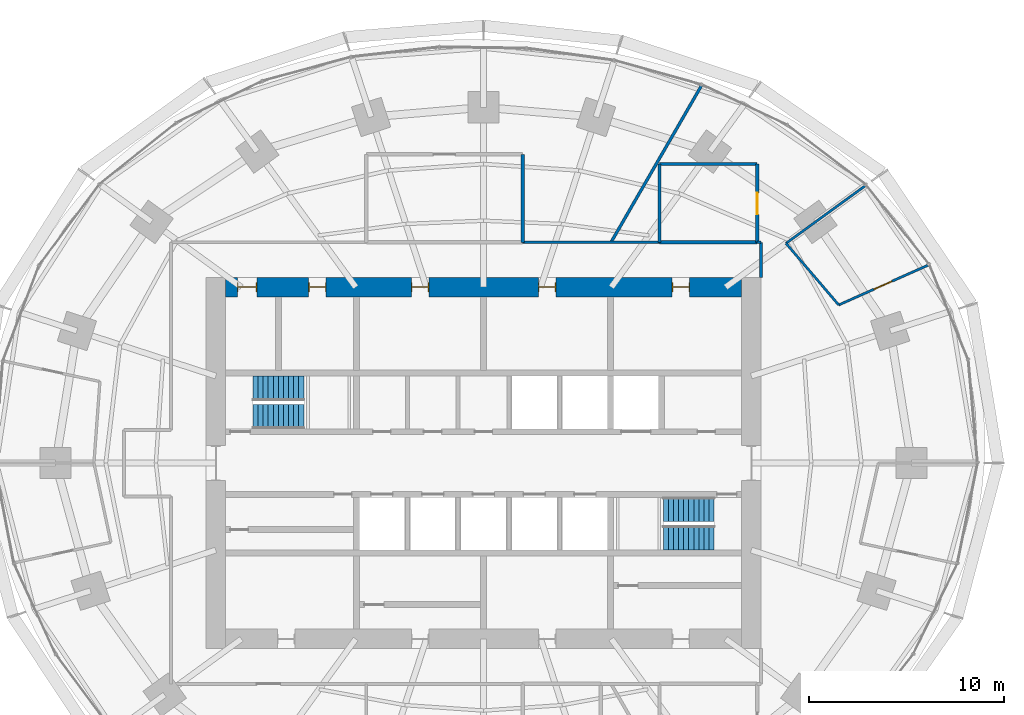
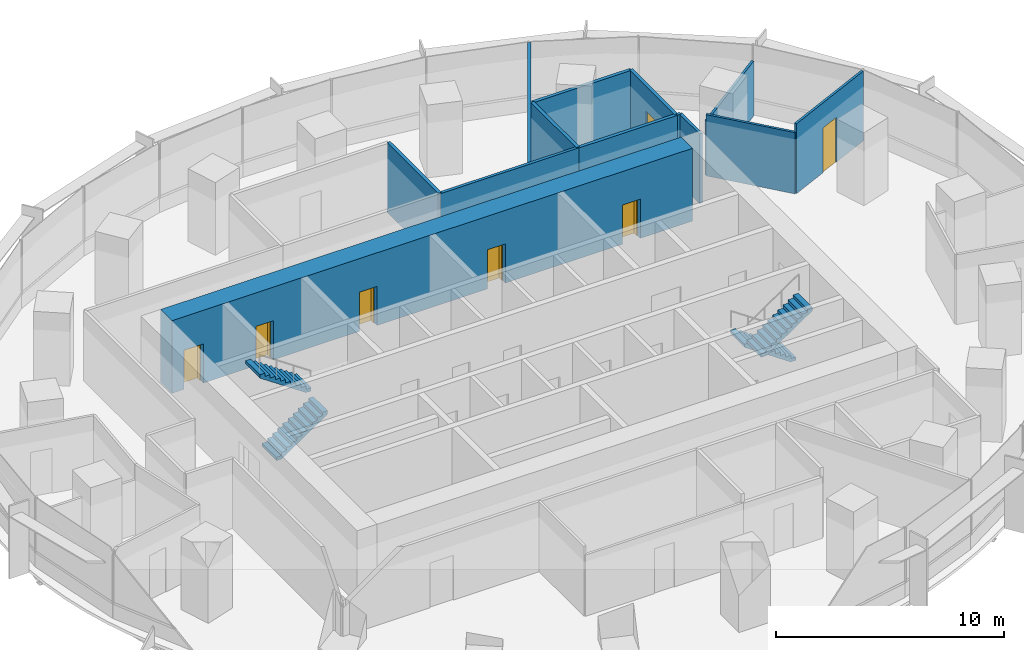
# One storey, part 12 of 14: 13 walls, 7 doors, 4 stair flights, 7 openings, 2 elements without a shape of their own.
"""IFC4 building model written with IfcOpenShell, lengths in metres."""

from ifc_helpers import new_model, si_unit, direction, frame, frame_2d, origin, place, context, subcontext, project, spatial, polyline, rectangle, outline, extrude, material, layer, layer_set, type_object, element, fill, aggregate, save


model = new_model("IFC4")

# Units and contexts
model_context = context("Model", 3, precision=1e-05, world=origin(), true_north=direction((0.0, 1.0)))
body_context = subcontext(model_context, "Body", "Model", "MODEL_VIEW")
ifc_project = project(units=[si_unit("LENGTHUNIT", "METRE"), si_unit("AREAUNIT", "SQUARE_METRE"), si_unit("VOLUMEUNIT", "CUBIC_METRE"), si_unit("PLANEANGLEUNIT", "RADIAN"), si_unit("MASSUNIT", "GRAM", prefix="KILO")], contexts=[model_context])

# Site, building, storey
site_placement = place(None, origin())
site = spatial("IfcSite", under=ifc_project, at=site_placement, CompositionType="ELEMENT")
building_placement = place(site_placement, origin())
building = spatial("IfcBuilding", under=site, at=building_placement, Name="Marramba Exchange Tower", CompositionType="ELEMENT")
storey_placement = place(building_placement, frame((0.0, 0.0, 147.0)))
storey = spatial("IfcBuildingStorey", under=building, at=storey_placement, Name="L35", CompositionType="ELEMENT", Elevation=147.0)

# Wall, opening, door
ifc_material_1 = material(Name="Plasterboard on staggered double steel studs, acoustic insulation", Category="steel")
ifc_layer_1 = layer(ifc_material_1, 0.169921875)
ifc_layer_set_1 = layer_set([ifc_layer_1], Name="Acoustic partition 170")
wall_type_1 = type_object("IfcWallType", Name="Acoustic partition 170", PredefinedType="PARTITIONING", material=ifc_layer_set_1)
wall_1_placement = place(storey_placement, frame((14.0, 11.300048828125, 0.0), z_axis=(0.0, 0.0, 1.0), x_axis=(0.0, 1.0, 0.0)))
wall_1 = element("IfcWall", 1, at=wall_1_placement, inside=storey, type_object=wall_type_1, Name="Acoustic partition L35 28", PredefinedType="PARTITIONING", context=body_context, shape_type="SweptSolid", body=[
    extrude(rectangle(XDim=4.0, YDim=0.169921875, at=frame_2d((2.0, 0.0))), origin(), (0.0, 0.0, 1.0), 3.739990234375),
])
opening_1_placement = place(wall_1_placement, frame((1.424072265625, 0.0, 0.0)))
opening_1 = element("IfcOpeningElement", 2, at=opening_1_placement, cuts=wall_1, Name="Opening D15", PredefinedType="OPENING", context=body_context, shape_type="SweptSolid", body=[
    extrude(rectangle(XDim=1.10009765625, YDim=2.39990234375, at=frame_2d((0.550048828125, 1.199951171875))), frame((0.0, 0.094970703125, 0.0), z_axis=(0.0, -1.0, 0.0), x_axis=(1.0, 0.0, 0.0)), (0.0, 0.0, 1.0), 0.18994140625),
])
ifc_material_2 = material(Name="Timber door", Category="wood")
door_type_1 = type_object("IfcDoorType", Name="Glazed meeting room door 1100x2400", OperationType="SINGLE_SWING_LEFT", PredefinedType="DOOR", material=ifc_material_2)
door_1_placement = place(opening_1_placement, origin())
door_1 = element("IfcDoor", 3, at=door_1_placement, inside=storey, type_object=door_type_1, Name="D15 Meeting Room 1 L35", OperationType="SINGLE_SWING_LEFT", OverallHeight=2.39990234375, OverallWidth=1.10009765625, PredefinedType="DOOR", context=body_context, shape_type="SweptSolid", body=[
    extrude(rectangle(XDim=1.10009765625, YDim=2.39990234375, at=frame_2d((0.550048828125, 1.199951171875))), frame((0.0, 0.02490234375, 0.0), z_axis=(0.0, -1.0, 0.0), x_axis=(1.0, 0.0, 0.0)), (0.0, 0.0, 1.0), 0.050048828125),
])
fill(opening_1, door_1)

# Walls
for number, where, z_axis, x_axis, name in (
    (4, (9.0, 11.300048828125, 0.0), (0.0, 0.0, 1.0), (1.0, 0.0, 0.0), "Acoustic partition L35 29"),
    (5, (14.0, 15.300048828125, 0.0), (0.0, 0.0, 1.0), (-1.0, 0.0, 0.0), "Acoustic partition L35 30"),
):
    element("IfcWall", number, at=place(storey_placement, frame(where, z_axis=z_axis, x_axis=x_axis)), inside=storey, type_object=wall_type_1, Name=name, PredefinedType="PARTITIONING", context=body_context, shape_type="SweptSolid", body=[
        extrude(rectangle(XDim=5.0, YDim=0.169921875, at=frame_2d((2.5, 0.0))), origin(), (0.0, 0.0, 1.0), 3.739990234375),
    ])
wall_2_placement = place(storey_placement, frame((9.0, 15.300048828125, 0.0), z_axis=(0.0, 0.0, 1.0), x_axis=(0.0, -1.0, 0.0)))
element("IfcWall", 6, at=wall_2_placement, inside=storey, type_object=wall_type_1, Name="Acoustic partition L35 31", PredefinedType="PARTITIONING", context=body_context, shape_type="SweptSolid", body=[
    extrude(rectangle(XDim=4.0, YDim=0.169921875, at=frame_2d((2.0, 0.0))), origin(), (0.0, 0.0, 1.0), 3.739990234375),
])
wall_3_placement = place(storey_placement, frame((2.0, 11.300048828125, 0.0), z_axis=(0.0, 0.0, 1.0), x_axis=(0.0, 1.0, 0.0)))
element("IfcWall", 7, at=wall_3_placement, inside=storey, type_object=wall_type_1, Name="Acoustic partition L35 34", PredefinedType="PARTITIONING", context=body_context, shape_type="SweptSolid", body=[
    extrude(rectangle(XDim=4.5, YDim=0.169921875, at=frame_2d((2.25, 0.0))), origin(), (0.0, 0.0, 1.0), 3.739990234375),
])

# Wall, openings, doors
ifc_material_3 = material(Name="Concrete N50", Category="concrete")
ifc_layer_2 = layer(ifc_material_3, 1.0)
ifc_layer_set_2 = layer_set([ifc_layer_2], Name="Core wall 1000")
wall_type_2 = type_object("IfcWallType", Name="Core wall 1000", PredefinedType="SHEAR", material=ifc_layer_set_2)
wall_4_placement = place(storey_placement, frame((13.199951171875, 9.0, 0.0), z_axis=(0.0, 0.0, 1.0), x_axis=(-1.0, 0.0, 0.0)))
wall_4 = element("IfcWall", 8, at=wall_4_placement, inside=storey, type_object=wall_type_2, Name="Core wall N L35", PredefinedType="SHEAR", context=body_context, shape_type="SweptSolid", body=[
    extrude(rectangle(XDim=26.39990234375, YDim=1.0, at=frame_2d((13.199951171875, 0.0))), origin(), (0.0, 0.0, 1.0), 3.89990234375),
])
opening_2_placement = place(wall_4_placement, frame((2.64990234375, 0.0, 0.0)))
opening_2 = element("IfcOpeningElement", 9, at=opening_2_placement, cuts=wall_4, Name="Opening D5", PredefinedType="OPENING", context=body_context, shape_type="SweptSolid", body=[
    extrude(rectangle(XDim=0.89990234375, YDim=2.10009765625, at=frame_2d((0.449951171875, 1.050048828125))), frame((0.0, 0.510009765625, 0.0), z_axis=(0.0, -1.0, 0.0), x_axis=(1.0, 0.0, 0.0)), (0.0, 0.0, 1.0), 1.02001953125),
])
opening_3_placement = place(wall_4_placement, frame((9.5, 0.0, 0.0)))
opening_3 = element("IfcOpeningElement", 10, at=opening_3_placement, cuts=wall_4, Name="Opening D3", PredefinedType="OPENING", context=body_context, shape_type="SweptSolid", body=[
    extrude(rectangle(XDim=0.89990234375, YDim=2.10009765625, at=frame_2d((0.449951171875, 1.050048828125))), frame((0.0, 0.510009765625, 0.0), z_axis=(0.0, -1.0, 0.0), x_axis=(1.0, 0.0, 0.0)), (0.0, 0.0, 1.0), 1.02001953125),
])
opening_4_placement = place(wall_4_placement, frame((16.0, 0.0, 0.0)))
opening_4 = element("IfcOpeningElement", 11, at=opening_4_placement, cuts=wall_4, Name="Opening D3", PredefinedType="OPENING", context=body_context, shape_type="SweptSolid", body=[
    extrude(rectangle(XDim=0.89990234375, YDim=2.10009765625, at=frame_2d((0.449951171875, 1.050048828125))), frame((0.0, 0.510009765625, 0.0), z_axis=(0.0, -1.0, 0.0), x_axis=(1.0, 0.0, 0.0)), (0.0, 0.0, 1.0), 1.02001953125),
])
opening_5_placement = place(wall_4_placement, frame((21.25, 0.0, 0.0)))
opening_5 = element("IfcOpeningElement", 12, at=opening_5_placement, cuts=wall_4, Name="Opening D5", PredefinedType="OPENING", context=body_context, shape_type="SweptSolid", body=[
    extrude(rectangle(XDim=0.89990234375, YDim=2.10009765625, at=frame_2d((0.449951171875, 1.050048828125))), frame((0.0, 0.510009765625, 0.0), z_axis=(0.0, -1.0, 0.0), x_axis=(1.0, 0.0, 0.0)), (0.0, 0.0, 1.0), 1.02001953125),
])
opening_6_placement = place(wall_4_placement, frame((24.800048828125, 0.0, 0.0)))
opening_6 = element("IfcOpeningElement", 13, at=opening_6_placement, cuts=wall_4, Name="Opening D4", PredefinedType="OPENING", context=body_context, shape_type="SweptSolid", body=[
    extrude(rectangle(XDim=1.0, YDim=2.10009765625, at=frame_2d((0.5, 1.050048828125))), frame((0.0, 0.510009765625, 0.0), z_axis=(0.0, -1.0, 0.0), x_axis=(1.0, 0.0, 0.0)), (0.0, 0.0, 1.0), 1.02001953125),
])
ifc_material_4 = material(Name="Steel-framed door", Category="steel")
door_type_2 = type_object("IfcDoorType", Name="Accessible toilet door 1000x2100", OperationType="SINGLE_SWING_LEFT", PredefinedType="DOOR", material=ifc_material_4)
door_2_placement = place(opening_6_placement, origin())
door_2 = element("IfcDoor", 14, at=door_2_placement, inside=storey, type_object=door_type_2, Name="D4 awc L35", OperationType="SINGLE_SWING_RIGHT", OverallHeight=2.10009765625, OverallWidth=1.0, PredefinedType="DOOR", context=body_context, shape_type="SweptSolid", body=[
    extrude(rectangle(XDim=0.919921875, YDim=2.06005859375, at=frame_2d((0.5, 1.030029296875))), frame((0.0, 0.02490234375, 0.0), z_axis=(0.0, -1.0, 0.0), x_axis=(1.0, 0.0, 0.0)), (0.0, 0.0, 1.0), 0.050048828125),
    extrude(rectangle(XDim=0.04, YDim=2.10009765625, at=frame_2d((0.02001953125, 1.050048828125))), frame((0.0, 0.25, 0.0), z_axis=(0.0, -1.0, 0.0), x_axis=(1.0, 0.0, 0.0)), (0.0, 0.0, 1.0), 0.5),
    extrude(rectangle(XDim=0.04, YDim=2.10009765625, at=frame_2d((0.97998046875, 1.050048828125))), frame((0.0, 0.25, 0.0), z_axis=(0.0, -1.0, 0.0), x_axis=(1.0, 0.0, 0.0)), (0.0, 0.0, 1.0), 0.5),
    extrude(rectangle(XDim=0.919921875, YDim=0.04, at=frame_2d((0.5, 2.080078125))), frame((0.0, 0.25, 0.0), z_axis=(0.0, -1.0, 0.0), x_axis=(1.0, 0.0, 0.0)), (0.0, 0.0, 1.0), 0.5),
])
fill(opening_6, door_2)
door_type_3 = type_object("IfcDoorType", Name="Service door 900x2100", OperationType="SINGLE_SWING_LEFT", PredefinedType="DOOR", material=ifc_material_4)
door_3_placement = place(opening_2_placement, origin())
door_3 = element("IfcDoor", 15, at=door_3_placement, inside=storey, type_object=door_type_3, Name="D5 comms L35", OperationType="SINGLE_SWING_LEFT", OverallHeight=2.10009765625, OverallWidth=0.89990234375, PredefinedType="DOOR", context=body_context, shape_type="SweptSolid", body=[
    extrude(rectangle(XDim=0.81982421875, YDim=2.06005859375, at=frame_2d((0.449951171875, 1.030029296875))), frame((0.0, 0.02490234375, 0.0), z_axis=(0.0, -1.0, 0.0), x_axis=(1.0, 0.0, 0.0)), (0.0, 0.0, 1.0), 0.050048828125),
    extrude(rectangle(XDim=0.04, YDim=2.10009765625, at=frame_2d((0.02001953125, 1.050048828125))), frame((0.0, 0.25, 0.0), z_axis=(0.0, -1.0, 0.0), x_axis=(1.0, 0.0, 0.0)), (0.0, 0.0, 1.0), 0.5),
    extrude(rectangle(XDim=0.04, YDim=2.10009765625, at=frame_2d((0.8798828125, 1.050048828125))), frame((0.0, 0.25, 0.0), z_axis=(0.0, -1.0, 0.0), x_axis=(1.0, 0.0, 0.0)), (0.0, 0.0, 1.0), 0.5),
    extrude(rectangle(XDim=0.81982421875, YDim=0.04, at=frame_2d((0.449951171875, 2.080078125))), frame((0.0, 0.25, 0.0), z_axis=(0.0, -1.0, 0.0), x_axis=(1.0, 0.0, 0.0)), (0.0, 0.0, 1.0), 0.5),
])
fill(opening_2, door_3)
door_4_placement = place(opening_5_placement, origin())
door_4 = element("IfcDoor", 16, at=door_4_placement, inside=storey, type_object=door_type_3, Name="D5 cleaner L35", OperationType="SINGLE_SWING_RIGHT", OverallHeight=2.10009765625, OverallWidth=0.89990234375, PredefinedType="DOOR", context=body_context, shape_type="SweptSolid", body=[
    extrude(rectangle(XDim=0.81982421875, YDim=2.06005859375, at=frame_2d((0.449951171875, 1.030029296875))), frame((0.0, 0.02490234375, 0.0), z_axis=(0.0, -1.0, 0.0), x_axis=(1.0, 0.0, 0.0)), (0.0, 0.0, 1.0), 0.050048828125),
    extrude(rectangle(XDim=0.04, YDim=2.10009765625, at=frame_2d((0.02001953125, 1.050048828125))), frame((0.0, 0.25, 0.0), z_axis=(0.0, -1.0, 0.0), x_axis=(1.0, 0.0, 0.0)), (0.0, 0.0, 1.0), 0.5),
    extrude(rectangle(XDim=0.04, YDim=2.10009765625, at=frame_2d((0.8798828125, 1.050048828125))), frame((0.0, 0.25, 0.0), z_axis=(0.0, -1.0, 0.0), x_axis=(1.0, 0.0, 0.0)), (0.0, 0.0, 1.0), 0.5),
    extrude(rectangle(XDim=0.81982421875, YDim=0.04, at=frame_2d((0.449951171875, 2.080078125))), frame((0.0, 0.25, 0.0), z_axis=(0.0, -1.0, 0.0), x_axis=(1.0, 0.0, 0.0)), (0.0, 0.0, 1.0), 0.5),
])
fill(opening_5, door_4)
door_type_4 = type_object("IfcDoorType", Name="Toilet door 900x2100", OperationType="SINGLE_SWING_LEFT", PredefinedType="DOOR", material=ifc_material_4)
door_5_placement = place(opening_3_placement, origin())
door_5 = element("IfcDoor", 17, at=door_5_placement, inside=storey, type_object=door_type_4, Name="D3 wc-f L35", OperationType="SINGLE_SWING_RIGHT", OverallHeight=2.10009765625, OverallWidth=0.89990234375, PredefinedType="DOOR", context=body_context, shape_type="SweptSolid", body=[
    extrude(rectangle(XDim=0.81982421875, YDim=2.06005859375, at=frame_2d((0.449951171875, 1.030029296875))), frame((0.0, 0.02490234375, 0.0), z_axis=(0.0, -1.0, 0.0), x_axis=(1.0, 0.0, 0.0)), (0.0, 0.0, 1.0), 0.050048828125),
    extrude(rectangle(XDim=0.04, YDim=2.10009765625, at=frame_2d((0.02001953125, 1.050048828125))), frame((0.0, 0.25, 0.0), z_axis=(0.0, -1.0, 0.0), x_axis=(1.0, 0.0, 0.0)), (0.0, 0.0, 1.0), 0.5),
    extrude(rectangle(XDim=0.04, YDim=2.10009765625, at=frame_2d((0.8798828125, 1.050048828125))), frame((0.0, 0.25, 0.0), z_axis=(0.0, -1.0, 0.0), x_axis=(1.0, 0.0, 0.0)), (0.0, 0.0, 1.0), 0.5),
    extrude(rectangle(XDim=0.81982421875, YDim=0.04, at=frame_2d((0.449951171875, 2.080078125))), frame((0.0, 0.25, 0.0), z_axis=(0.0, -1.0, 0.0), x_axis=(1.0, 0.0, 0.0)), (0.0, 0.0, 1.0), 0.5),
])
fill(opening_3, door_5)
door_6_placement = place(opening_4_placement, origin())
door_6 = element("IfcDoor", 18, at=door_6_placement, inside=storey, type_object=door_type_4, Name="D3 wc-m L35", OperationType="SINGLE_SWING_RIGHT", OverallHeight=2.10009765625, OverallWidth=0.89990234375, PredefinedType="DOOR", context=body_context, shape_type="SweptSolid", body=[
    extrude(rectangle(XDim=0.81982421875, YDim=2.06005859375, at=frame_2d((0.449951171875, 1.030029296875))), frame((0.0, 0.02490234375, 0.0), z_axis=(0.0, -1.0, 0.0), x_axis=(1.0, 0.0, 0.0)), (0.0, 0.0, 1.0), 0.050048828125),
    extrude(rectangle(XDim=0.04, YDim=2.10009765625, at=frame_2d((0.02001953125, 1.050048828125))), frame((0.0, 0.25, 0.0), z_axis=(0.0, -1.0, 0.0), x_axis=(1.0, 0.0, 0.0)), (0.0, 0.0, 1.0), 0.5),
    extrude(rectangle(XDim=0.04, YDim=2.10009765625, at=frame_2d((0.8798828125, 1.050048828125))), frame((0.0, 0.25, 0.0), z_axis=(0.0, -1.0, 0.0), x_axis=(1.0, 0.0, 0.0)), (0.0, 0.0, 1.0), 0.5),
    extrude(rectangle(XDim=0.81982421875, YDim=0.04, at=frame_2d((0.449951171875, 2.080078125))), frame((0.0, 0.25, 0.0), z_axis=(0.0, -1.0, 0.0), x_axis=(1.0, 0.0, 0.0)), (0.0, 0.0, 1.0), 0.5),
])
fill(opening_4, door_6)

# Wall, opening, door
ifc_material_5 = material(Name="Plasterboard on steel studs", Category="steel")
ifc_layer_3 = layer(ifc_material_5, 0.1201171875)
ifc_layer_set_3 = layer_set([ifc_layer_3], Name="Partition 120")
wall_type_3 = type_object("IfcWallType", Name="Partition 120", PredefinedType="PARTITIONING", material=ifc_layer_set_3)
wall_5_placement = place(storey_placement, frame((18.174560546875, 8.091796875, 0.0), z_axis=(0.0, 0.0, 1.0), x_axis=(0.913541529049, 0.406745466726, 0.0)))
wall_5 = element("IfcWall", 19, at=wall_5_placement, inside=storey, type_object=wall_type_3, Name="Partition L35 23", PredefinedType="PARTITIONING", context=body_context, shape_type="SweptSolid", body=[
    extrude(rectangle(XDim=5.0, YDim=0.1201171875, at=frame_2d((2.5, 0.0))), origin(), (0.0, 0.0, 1.0), 3.739990234375),
])
opening_7_placement = place(wall_5_placement, frame((1.97509765625, 0.0, 0.0)))
opening_7 = element("IfcOpeningElement", 20, at=opening_7_placement, cuts=wall_5, Name="Opening D9", PredefinedType="OPENING", context=body_context, shape_type="SweptSolid", body=[
    extrude(rectangle(XDim=1.0, YDim=2.39990234375, at=frame_2d((0.5, 1.199951171875))), frame((0.0, 0.070068359375, 0.0), z_axis=(0.0, -1.0, 0.0), x_axis=(1.0, 0.0, 0.0)), (0.0, 0.0, 1.0), 0.14013671875),
])
door_type_5 = type_object("IfcDoorType", Name="Room door 1000x2400", OperationType="SINGLE_SWING_LEFT", PredefinedType="DOOR", material=ifc_material_2)
door_7_placement = place(opening_7_placement, origin())
door_7 = element("IfcDoor", 21, at=door_7_placement, inside=storey, type_object=door_type_5, Name="D9 Office 1 L35", OperationType="SINGLE_SWING_RIGHT", OverallHeight=2.39990234375, OverallWidth=1.0, PredefinedType="DOOR", context=body_context, shape_type="SweptSolid", body=[
    extrude(rectangle(XDim=1.0, YDim=2.39990234375, at=frame_2d((0.5, 1.199951171875))), frame((0.0, 0.02490234375, 0.0), z_axis=(0.0, -1.0, 0.0), x_axis=(1.0, 0.0, 0.0)), (0.0, 0.0, 1.0), 0.050048828125),
])
fill(opening_7, door_7)

# Walls
wall_6_placement = place(storey_placement, frame((15.4765625, 11.244384765625, 0.0), z_axis=(0.0, 0.0, 1.0), x_axis=(0.650204888553, -0.759758911038, 0.0)))
element("IfcWall", 22, at=wall_6_placement, inside=storey, type_object=wall_type_3, Name="Partition L35 24", PredefinedType="PARTITIONING", context=body_context, shape_type="SweptSolid", body=[
    extrude(rectangle(XDim=4.1494140625, YDim=0.1201171875, at=frame_2d((2.07470703125, 0.0))), origin(), (0.0, 0.0, 1.0), 3.285888671875),
])
wall_7_placement = place(storey_placement, frame((19.521484375, 14.18310546875, 0.0), z_axis=(0.0, 0.0, 1.0), x_axis=(-0.809025274756, -0.587773855157, 0.0)))
element("IfcWall", 23, at=wall_7_placement, inside=storey, type_object=wall_type_3, Name="Partition L35 25", PredefinedType="PARTITIONING", context=body_context, shape_type="SweptSolid", body=[
    extrude(rectangle(XDim=4.999755859375, YDim=0.1201171875, at=frame_2d((2.5, 0.0))), origin(), (0.0, 0.0, 1.0), 2.93994140625),
])
ifc_material_6 = material(Name="Fire-rated plasterboard on steel studs, acoustic insulation", Category="steel")
ifc_layer_4 = layer(ifc_material_6, 0.14990234375)
ifc_layer_set_4 = layer_set([ifc_layer_4], Name="Tenancy wall 150")
wall_type_4 = type_object("IfcWallType", Name="Tenancy wall 150", PredefinedType="PARTITIONING", material=ifc_layer_set_4)
wall_8_placement = place(storey_placement, frame((14.199951171875, 9.5, 0.0), z_axis=(0.0, 0.0, 1.0), x_axis=(0.0, 1.0, 0.0)))
element("IfcWall", 24, at=wall_8_placement, inside=storey, type_object=wall_type_4, Name="Tenancy wall L35 26", PredefinedType="PARTITIONING", context=body_context, shape_type="SweptSolid", body=[
    extrude(rectangle(XDim=1.800048828125, YDim=0.14990234375, at=frame_2d((0.89990234375, 0.0))), origin(), (0.0, 0.0, 1.0), 3.739990234375),
])
wall_9_placement = place(storey_placement, frame((14.199951171875, 11.300048828125, 0.0), z_axis=(0.0, 0.0, 1.0), x_axis=(-1.0, 0.0, 0.0)))
element("IfcWall", 25, at=wall_9_placement, inside=storey, type_object=wall_type_4, Name="Tenancy wall L35 27", PredefinedType="PARTITIONING", context=body_context, shape_type="SweptSolid", body=[
    extrude(rectangle(XDim=0.199951171875, YDim=0.14990234375, at=frame_2d((0.10009765625, 0.0))), origin(), (0.0, 0.0, 1.0), 3.739990234375),
])
wall_10_placement = place(storey_placement, frame((6.524169921875, 11.300048828125, 0.0), z_axis=(0.0, 0.0, 1.0), x_axis=(0.499995827671, 0.866027812666, 0.0)))
element("IfcWall", 26, at=wall_10_placement, inside=storey, type_object=wall_type_4, Name="Tenancy wall L35 32", PredefinedType="PARTITIONING", context=body_context, shape_type="SweptSolid", body=[
    extrude(rectangle(XDim=9.22509765625, YDim=0.14990234375, at=frame_2d((4.612548828125, 0.0))), origin(), (0.0, 0.0, 1.0), 3.739990234375),
])
wall_11_placement = place(storey_placement, frame((9.0, 11.300048828125, 0.0), z_axis=(0.0, 0.0, 1.0), x_axis=(-1.0, 0.0, 0.0)))
element("IfcWall", 27, at=wall_11_placement, inside=storey, type_object=wall_type_4, Name="Tenancy wall L35 33", PredefinedType="PARTITIONING", context=body_context, shape_type="SweptSolid", body=[
    extrude(rectangle(XDim=7.0, YDim=0.14990234375, at=frame_2d((3.5, 0.0))), origin(), (0.0, 0.0, 1.0), 3.739990234375),
])

# Stair, stair flights
ifc_material_7 = material(Name="Concrete N40 (40 MPa)", Category="concrete")
stair_type_1 = type_object("IfcStairType", Name="Exit stair ST1 3900 x 1250", PredefinedType="HALF_TURN_STAIR", material=ifc_material_7)
stair_1_placement = place(storey_placement, origin())
stair_1 = element("IfcStair", 28, at=stair_1_placement, inside=storey, type_object=stair_type_1, Name="Exit stair ST1 L35", PredefinedType="HALF_TURN_STAIR")
stair_flight_type_1 = type_object("IfcStairFlightType", Name="ST1 stair flight 1773 riser 1250 wide", PredefinedType="STRAIGHT", material=ifc_material_7)
stair_flight_1_placement = place(storey_placement, frame((-11.800048828125, 2.375, 0.0), z_axis=(0.0, 0.0, 1.0), x_axis=(1.0, 0.0, 0.0)))
stair_flight_1 = element("IfcStairFlight", 29, at=stair_flight_1_placement, type_object=stair_flight_type_1, Name="ST1 flight 1", NumberOfRisers=11, NumberOfTreads=10, PredefinedType="STRAIGHT", RiserHeight=0.177272727, TreadLength=0.26, context=body_context, shape_type="SweptSolid", body=[
    extrude(outline(polyline([(0.0, 0.0), (0.0, 0.17724609375), (0.260009765625, 0.17724609375), (0.260009765625, 0.3544921875), (0.52001953125, 0.3544921875), (0.52001953125, 0.53173828125), (0.780029296875, 0.53173828125), (0.780029296875, 0.708984375), (1.0400390625, 0.708984375), (1.0400390625, 0.886474609375), (1.300048828125, 0.886474609375), (1.300048828125, 1.063720703125), (1.56005859375, 1.063720703125), (1.56005859375, 1.240966796875), (1.820068359375, 1.240966796875), (1.820068359375, 1.418212890625), (2.080078125, 1.418212890625), (2.080078125, 1.595458984375), (2.340087890625, 1.595458984375), (2.340087890625, 1.772705078125), (2.60009765625, 1.772705078125), (2.60009765625, 1.949951171875), (2.60009765625, 1.59130859375), (0.26611328125, 0.0), (0.0, 0.0)])), frame((0.0, 0.625, 0.0), z_axis=(0.0, -1.0, 0.0), x_axis=(1.0, 0.0, 0.0)), (0.0, 0.0, 1.0), 1.25),
])
stair_flight_2_placement = place(storey_placement, frame((-9.199951171875, 3.824951171875, 1.949951171875), z_axis=(0.0, 0.0, 1.0), x_axis=(-1.0, 0.0, 0.0)))
stair_flight_2 = element("IfcStairFlight", 30, at=stair_flight_2_placement, type_object=stair_flight_type_1, Name="ST1 flight 2", NumberOfRisers=11, NumberOfTreads=10, PredefinedType="STRAIGHT", RiserHeight=0.177272727, TreadLength=0.26, context=body_context, shape_type="SweptSolid", body=[
    extrude(outline(polyline([(0.0, 0.0), (0.0, 0.17724609375), (0.260009765625, 0.17724609375), (0.260009765625, 0.3544921875), (0.52001953125, 0.3544921875), (0.52001953125, 0.53173828125), (0.780029296875, 0.53173828125), (0.780029296875, 0.708984375), (1.0400390625, 0.708984375), (1.0400390625, 0.886474609375), (1.300048828125, 0.886474609375), (1.300048828125, 1.063720703125), (1.56005859375, 1.063720703125), (1.56005859375, 1.240966796875), (1.820068359375, 1.240966796875), (1.820068359375, 1.418212890625), (2.080078125, 1.418212890625), (2.080078125, 1.595458984375), (2.340087890625, 1.595458984375), (2.340087890625, 1.772705078125), (2.60009765625, 1.772705078125), (2.60009765625, 1.949951171875), (2.60009765625, 1.59130859375), (0.26611328125, 0.0), (0.0, 0.0)])), frame((0.0, 0.625, 0.0), z_axis=(0.0, -1.0, 0.0), x_axis=(1.0, 0.0, 0.0)), (0.0, 0.0, 1.0), 1.25),
])
aggregate(stair_1, [stair_flight_1, stair_flight_2])

stair_type_2 = type_object("IfcStairType", Name="Exit stair ST2 3900 x 1250", PredefinedType="HALF_TURN_STAIR", material=ifc_material_7)
stair_2_placement = place(storey_placement, origin())
stair_2 = element("IfcStair", 31, at=stair_2_placement, inside=storey, type_object=stair_type_2, Name="Exit stair ST2 L35", PredefinedType="HALF_TURN_STAIR")
stair_flight_type_2 = type_object("IfcStairFlightType", Name="ST2 stair flight 1773 riser 1250 wide", PredefinedType="STRAIGHT", material=ifc_material_7)
stair_flight_3_placement = place(storey_placement, frame((11.800048828125, -2.375, 0.0), z_axis=(0.0, 0.0, 1.0), x_axis=(-1.0, 0.0, 0.0)))
stair_flight_3 = element("IfcStairFlight", 32, at=stair_flight_3_placement, type_object=stair_flight_type_2, Name="ST2 flight 1", NumberOfRisers=11, NumberOfTreads=10, PredefinedType="STRAIGHT", RiserHeight=0.177272727, TreadLength=0.26, context=body_context, shape_type="SweptSolid", body=[
    extrude(outline(polyline([(0.0, 0.0), (0.0, 0.17724609375), (0.260009765625, 0.17724609375), (0.260009765625, 0.3544921875), (0.52001953125, 0.3544921875), (0.52001953125, 0.53173828125), (0.780029296875, 0.53173828125), (0.780029296875, 0.708984375), (1.0400390625, 0.708984375), (1.0400390625, 0.886474609375), (1.300048828125, 0.886474609375), (1.300048828125, 1.063720703125), (1.56005859375, 1.063720703125), (1.56005859375, 1.240966796875), (1.820068359375, 1.240966796875), (1.820068359375, 1.418212890625), (2.080078125, 1.418212890625), (2.080078125, 1.595458984375), (2.340087890625, 1.595458984375), (2.340087890625, 1.772705078125), (2.60009765625, 1.772705078125), (2.60009765625, 1.949951171875), (2.60009765625, 1.59130859375), (0.26611328125, 0.0), (0.0, 0.0)])), frame((0.0, 0.625, 0.0), z_axis=(0.0, -1.0, 0.0), x_axis=(1.0, 0.0, 0.0)), (0.0, 0.0, 1.0), 1.25),
])
stair_flight_4_placement = place(storey_placement, frame((9.199951171875, -3.824951171875, 1.949951171875), z_axis=(0.0, 0.0, 1.0), x_axis=(1.0, 0.0, 0.0)))
stair_flight_4 = element("IfcStairFlight", 33, at=stair_flight_4_placement, type_object=stair_flight_type_2, Name="ST2 flight 2", NumberOfRisers=11, NumberOfTreads=10, PredefinedType="STRAIGHT", RiserHeight=0.177272727, TreadLength=0.26, context=body_context, shape_type="SweptSolid", body=[
    extrude(outline(polyline([(0.0, 0.0), (0.0, 0.17724609375), (0.260009765625, 0.17724609375), (0.260009765625, 0.3544921875), (0.52001953125, 0.3544921875), (0.52001953125, 0.53173828125), (0.780029296875, 0.53173828125), (0.780029296875, 0.708984375), (1.0400390625, 0.708984375), (1.0400390625, 0.886474609375), (1.300048828125, 0.886474609375), (1.300048828125, 1.063720703125), (1.56005859375, 1.063720703125), (1.56005859375, 1.240966796875), (1.820068359375, 1.240966796875), (1.820068359375, 1.418212890625), (2.080078125, 1.418212890625), (2.080078125, 1.595458984375), (2.340087890625, 1.595458984375), (2.340087890625, 1.772705078125), (2.60009765625, 1.772705078125), (2.60009765625, 1.949951171875), (2.60009765625, 1.59130859375), (0.26611328125, 0.0), (0.0, 0.0)])), frame((0.0, 0.625, 0.0), z_axis=(0.0, -1.0, 0.0), x_axis=(1.0, 0.0, 0.0)), (0.0, 0.0, 1.0), 1.25),
])
aggregate(stair_2, [stair_flight_3, stair_flight_4])

save(model, "model.ifc")
